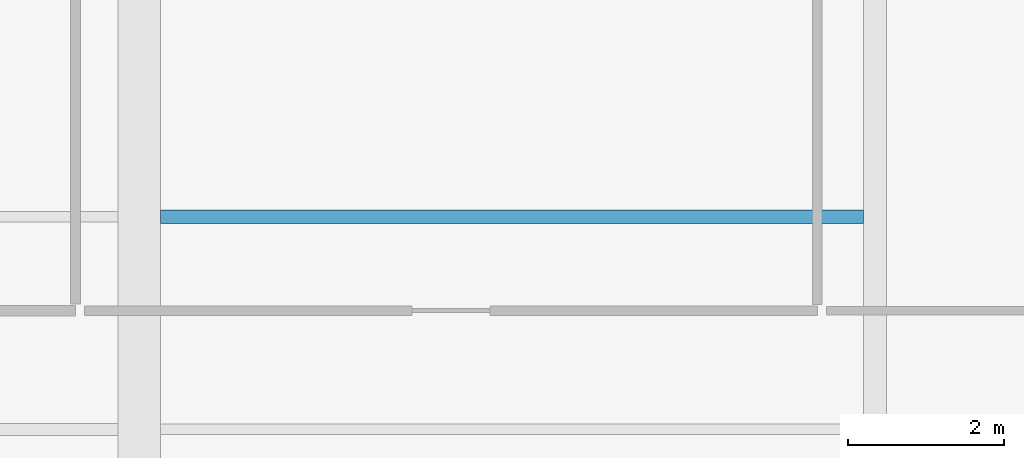
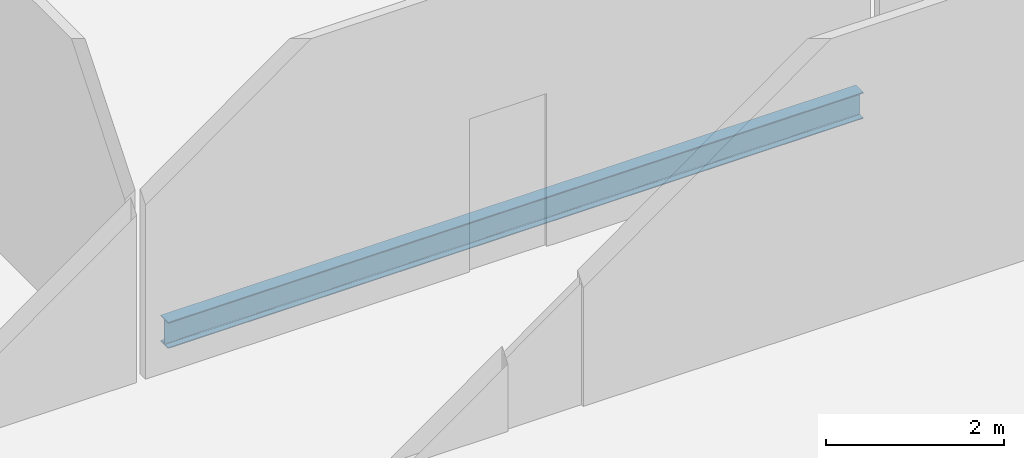
# One storey, part 21 of 158: 1 beam.
"""IFC4 building model written with IfcOpenShell, lengths in metres."""

from ifc_helpers import new_model, si_unit, direction, frame, origin, origin_2d, place, context, subcontext, project, spatial, i_section, extrude, material, material_profile, profile_set, type_object, element, save


model = new_model("IFC4")

# Units and contexts
model_context = context("Model", 3, precision=1e-05, world=origin(), true_north=direction((0.0, 1.0)))
body_context = subcontext(model_context, "Body", "Model", "MODEL_VIEW")
ifc_project = project(units=[si_unit("LENGTHUNIT", "METRE"), si_unit("AREAUNIT", "SQUARE_METRE"), si_unit("VOLUMEUNIT", "CUBIC_METRE"), si_unit("PLANEANGLEUNIT", "RADIAN"), si_unit("MASSUNIT", "GRAM", prefix="KILO")], contexts=[model_context])

# Site, building, storey
site_placement = place(None, origin())
site = spatial("IfcSite", under=ifc_project, at=site_placement, CompositionType="ELEMENT")
building_placement = place(site_placement, origin())
building = spatial("IfcBuilding", under=site, at=building_placement, Name="Qalavern Law Courts", CompositionType="ELEMENT")
storey_placement = place(building_placement, frame((0.0, 0.0, 18.60009765625)))
storey = spatial("IfcBuildingStorey", under=building, at=storey_placement, Name="L04", CompositionType="ELEMENT", Elevation=18.60009765625)

# Beam
ifc_material = material(Name="Steel S355", Category="steel")
ifc_material_profile = material_profile(ifc_material, i_section(OverallWidth=0.169921875, OverallDepth=0.360107421875, WebThickness=0.008056640625, FlangeThickness=0.0126953125, FilletRadius=0.01806640625, at=origin_2d()), Name="IPE 360")
ifc_profile_set = profile_set([ifc_material_profile], Name="Steel S355")
beam_type = type_object("IfcBeamType", Name="STR-JST-IPE360", PredefinedType="JOIST", material=ifc_profile_set)
beam_placement = place(storey_placement, frame((53.801513671875, 19.2666015625, -0.460205078125), z_axis=(1.0, 0.0, 0.0), x_axis=(0.0, 1.0, 0.0)))
element("IfcBeam", 1, at=beam_placement, inside=storey, type_object=beam_type, Name="V2 secondary joist 3.2.2 L04", PredefinedType="JOIST", context=body_context, shape_type="SweptSolid", body=[
    extrude(i_section(OverallWidth=0.169921875, OverallDepth=0.360107421875, WebThickness=0.008056640625, FlangeThickness=0.0126953125, FilletRadius=0.01806640625, at=origin_2d()), origin(), (0.0, 0.0, 1.0), 9.033447265625),
])

save(model, "model.ifc")
